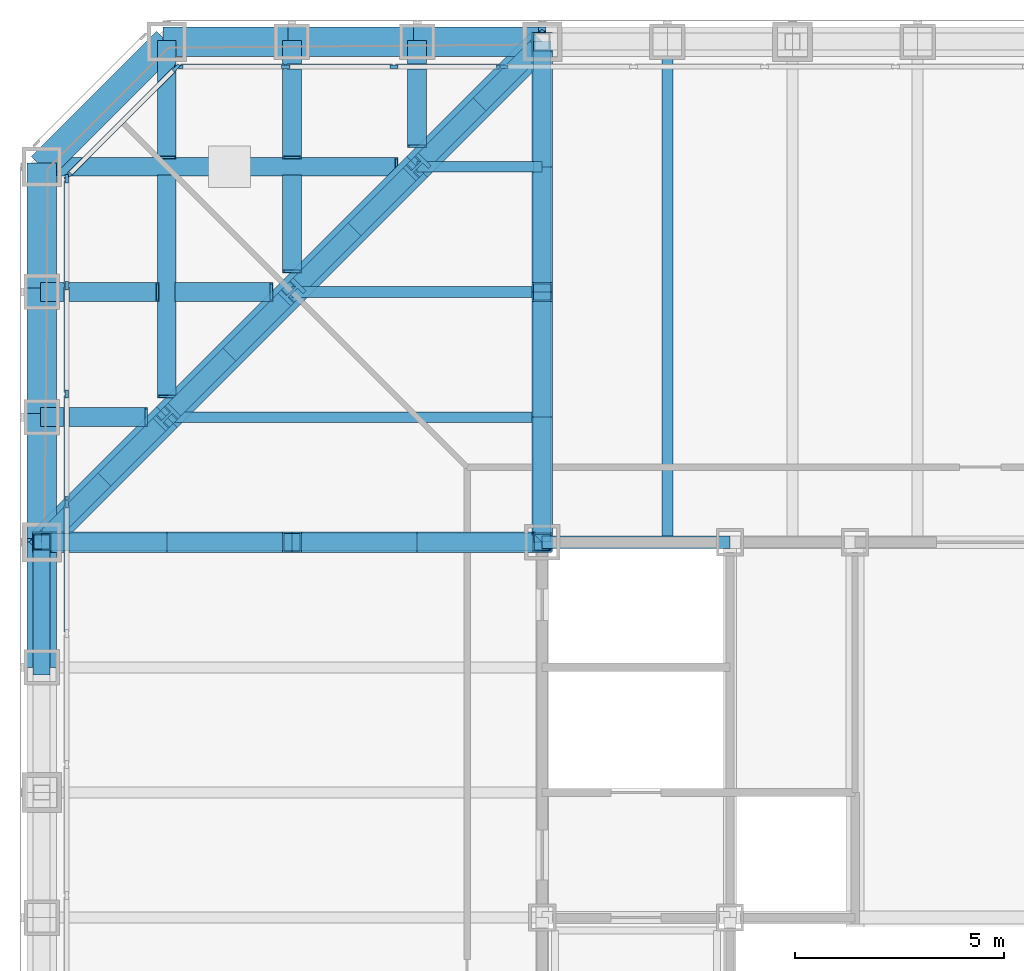
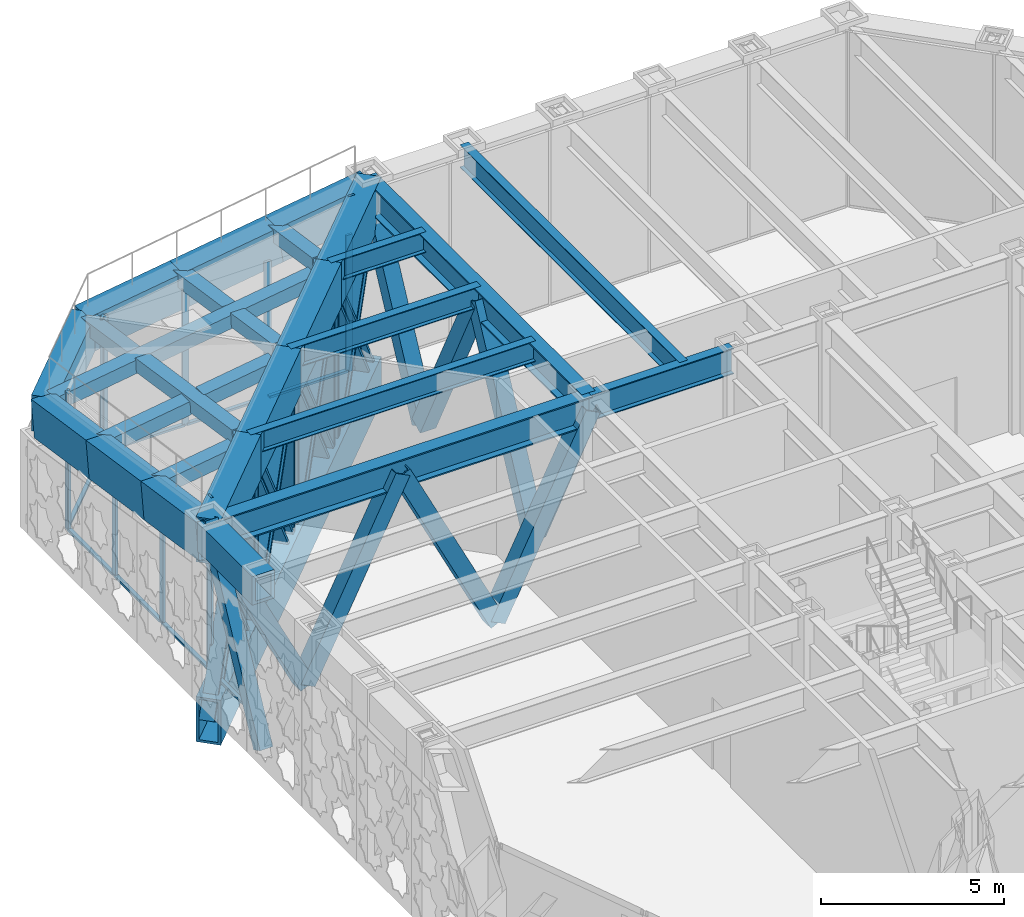
# One storey, part 8 of 28: 45 members, 24 beams, 5 elements without a shape of their own.
"""IFC4 building model written with IfcOpenShell, lengths in metres."""

from ifc_helpers import new_model, si_unit, direction, frame, origin, origin_2d, place, context, subcontext, project, spatial, rectangle, hollow_rectangle, i_section, extrude, material, layer, layer_set, material_profile, profile_set, type_object, element, aggregate, save


model = new_model("IFC4")

# Units and contexts
model_context = context("Model", 3, precision=1e-05, world=origin(), true_north=direction((0.0, 1.0)))
body_context = subcontext(model_context, "Body", "Model", "MODEL_VIEW")
ifc_project = project(units=[si_unit("LENGTHUNIT", "METRE"), si_unit("AREAUNIT", "SQUARE_METRE"), si_unit("VOLUMEUNIT", "CUBIC_METRE"), si_unit("PLANEANGLEUNIT", "RADIAN"), si_unit("MASSUNIT", "GRAM", prefix="KILO")], contexts=[model_context])

# Site, building, storey
site_placement = place(None, origin())
site = spatial("IfcSite", under=ifc_project, at=site_placement, CompositionType="ELEMENT")
building_placement = place(site_placement, origin())
building = spatial("IfcBuilding", under=site, at=building_placement, Name="Chuquiago Exchange Tower", CompositionType="ELEMENT")
storey_placement = place(building_placement, frame((0.0, 0.0, 174.0)))
storey = spatial("IfcBuildingStorey", under=building, at=storey_placement, Name="L38", CompositionType="ELEMENT", Elevation=174.0)

# Beams
ifc_material_1 = material(Name="Steel ASTM A992", Category="steel")
ifc_material_profile_1 = material_profile(ifc_material_1, i_section(OverallWidth=0.2919921875, OverallDepth=0.8583984375, WebThickness=0.01708984375, FlangeThickness=0.031005859375, at=origin_2d()), Name="W33X169")
ifc_profile_set_1 = profile_set([ifc_material_profile_1], Name="Steel ASTM A992")
beam_type_1 = type_object("IfcBeamType", Name="B3 W33X169", PredefinedType="BEAM", material=ifc_profile_set_1)
beam_1_placement = place(storey_placement, frame((12.0, 33.0, 5.41064453125), z_axis=(1.0, 0.0, 0.0), x_axis=(0.0, 1.0, 0.0)))
element("IfcBeam", 1, at=beam_1_placement, inside=storey, type_object=beam_type_1, Name="CB-L39-12_33-16.5_33", PredefinedType="BEAM", context=body_context, shape_type="SweptSolid", body=[
    extrude(i_section(OverallWidth=0.2919921875, OverallDepth=0.8583984375, WebThickness=0.01708984375, FlangeThickness=0.031005859375, at=origin_2d()), origin(), (0.0, 0.0, 1.0), 4.5),
])
ifc_material_2 = material(Name="Steel ASTM A992", Category="steel")
ifc_material_profile_2 = material_profile(ifc_material_2, i_section(OverallWidth=0.2666015625, OverallDepth=0.761962890625, WebThickness=0.014404296875, FlangeThickness=0.021484375, at=origin_2d()), Name="W30X116")
ifc_profile_set_2 = profile_set([ifc_material_profile_2], Name="Steel ASTM A992")
beam_type_2 = type_object("IfcBeamType", Name="B8 W30X116", PredefinedType="BEAM", material=ifc_profile_set_2)
beam_2_placement = place(storey_placement, frame((15.0, 33.0, 5.458984375), z_axis=(0.0, 1.0, 0.0), x_axis=(-1.0, 0.0, 0.0)))
element("IfcBeam", 2, at=beam_2_placement, inside=storey, type_object=beam_type_2, Name="FB-L39-infill-15_33-15_45-0", PredefinedType="BEAM", context=body_context, shape_type="SweptSolid", body=[
    extrude(i_section(OverallWidth=0.2666015625, OverallDepth=0.761962890625, WebThickness=0.014404296875, FlangeThickness=0.021484375, at=origin_2d()), origin(), (0.0, 0.0, 1.0), 12.0),
])
ifc_material_3 = material(Name="Steel ASTM A992", Category="steel")
ifc_material_profile_3 = material_profile(ifc_material_3, i_section(OverallWidth=0.256591796875, OverallDepth=0.693359375, WebThickness=0.014404296875, FlangeThickness=0.023681640625, at=origin_2d()), Name="W27X114")
ifc_profile_set_3 = profile_set([ifc_material_profile_3], Name="Steel ASTM A992")
beam_type_3 = type_object("IfcBeamType", Name="B9 W27X114", PredefinedType="BEAM", material=ifc_profile_set_3)
beam_3_placement = place(storey_placement, frame((12.0, 36.0, 5.493408203125), z_axis=(-1.0, 0.0, 0.0), x_axis=(0.0, -1.0, 0.0)))
element("IfcBeam", 3, at=beam_3_placement, inside=storey, type_object=beam_type_3, Name="FB-L39-corner-12_36-3_36-0", PredefinedType="BEAM", context=body_context, shape_type="SweptSolid", body=[
    extrude(i_section(OverallWidth=0.256591796875, OverallDepth=0.693359375, WebThickness=0.014404296875, FlangeThickness=0.023681640625, at=origin_2d()), origin(), (0.0, 0.0, 1.0), 9.0),
])
beam_4_placement = place(storey_placement, frame((12.0, 39.0, 5.493408203125), z_axis=(-1.0, 0.0, 0.0), x_axis=(0.0, -1.0, 0.0)))
element("IfcBeam", 4, at=beam_4_placement, inside=storey, type_object=beam_type_3, Name="FB-L39-corner-12_39-6_39-0", PredefinedType="BEAM", context=body_context, shape_type="SweptSolid", body=[
    extrude(i_section(OverallWidth=0.256591796875, OverallDepth=0.693359375, WebThickness=0.014404296875, FlangeThickness=0.023681640625, at=origin_2d()), origin(), (0.0, 0.0, 1.0), 6.0),
])
beam_5_placement = place(storey_placement, frame((12.0, 42.0, 5.493408203125), z_axis=(-1.0, 0.0, 0.0), x_axis=(0.0, -1.0, 0.0)))
element("IfcBeam", 5, at=beam_5_placement, inside=storey, type_object=beam_type_3, Name="FB-L39-corner-12_42-9_42-0", PredefinedType="BEAM", context=body_context, shape_type="SweptSolid", body=[
    extrude(i_section(OverallWidth=0.256591796875, OverallDepth=0.693359375, WebThickness=0.014404296875, FlangeThickness=0.023681640625, at=origin_2d()), origin(), (0.0, 0.0, 1.0), 3.0),
])

# Member
ifc_material_4 = material(Name="Steel ASTM A500 Grade C", Category="steel")
ifc_material_profile_4 = material_profile(ifc_material_4, hollow_rectangle(XDim=0.406494140625, YDim=0.406494140625, WallThickness=0.0146484375, at=origin_2d()), Name="HSS16X16X5/8")
ifc_profile_set_4 = profile_set([ifc_material_profile_4], Name="Steel ASTM A500 Grade C")
member_type_1 = type_object("IfcMemberType", Name="BT1 HSS16X16X5/8", PredefinedType="BRACE", material=ifc_profile_set_4)
member_1_placement = place(storey_placement, frame((0.0, 30.0, 0.0), z_axis=(0.0, 0.456929540486, 0.889502892087), x_axis=(-1.0, 0.0, 0.0)))
element("IfcMember", 6, at=member_1_placement, inside=storey, type_object=member_type_1, Name="Belt truss L38 diagonal", PredefinedType="BRACE", context=body_context, shape_type="SweptSolid", body=[
    extrude(hollow_rectangle(XDim=0.406494140625, YDim=0.406494140625, WallThickness=0.0146484375, at=origin_2d()), origin(), (0.0, 0.0, 1.0), 6.565673828125),
])

# Curtain wall, member
ifc_material_5 = material(Name="Aluminium curtain wall system", Category="aluminium")
ifc_layer = layer(ifc_material_5, 0.199951171875)
ifc_layer_set = layer_set([ifc_layer], Name="CW6 plant floor louvre wall")
curtain_wall_type = type_object("IfcCurtainWallType", Name="CW6 plant floor louvre wall", PredefinedType="NOTDEFINED", material=ifc_layer_set)
curtain_wall_1_placement = place(storey_placement, origin())
curtain_wall_1 = element("IfcCurtainWall", 7, at=curtain_wall_1_placement, inside=storey, type_object=curtain_wall_type, Name="CW6 curtain wall L38", PredefinedType="NOTDEFINED")
ifc_material_6 = material(Name="Aluminium mullion, pale anodised", Category="aluminium")
ifc_material_profile_5 = material_profile(ifc_material_6, rectangle(XDim=0.074951171875, YDim=0.199951171875, at=origin_2d()), Name="AL 75x200")
ifc_profile_set_5 = profile_set([ifc_material_profile_5], Name="Aluminium mullion, pale anodised")
member_type_2 = type_object("IfcMemberType", Name="CW6-M mullion 75x200", PredefinedType="MULLION", material=ifc_profile_set_5)
member_2_placement = place(storey_placement, frame((11.083984375, 44.39990234375, 0.0), z_axis=(0.0, 0.0, 1.0), x_axis=(0.0, -1.0, 0.0)))
member_2 = element("IfcMember", 8, at=member_2_placement, type_object=member_type_2, Name="CW6 mullion 6", PredefinedType="MULLION", context=body_context, shape_type="SweptSolid", body=[
    extrude(rectangle(XDim=0.074951171875, YDim=0.199951171875, at=origin_2d()), origin(), (0.0, 0.0, 1.0), 5.840087890625),
])
aggregate(curtain_wall_1, [member_2])

# Curtain wall, members
curtain_wall_2_placement = place(storey_placement, origin())
curtain_wall_2 = element("IfcCurtainWall", 9, at=curtain_wall_2_placement, inside=storey, type_object=curtain_wall_type, Name="CW6 curtain wall L38", PredefinedType="NOTDEFINED")
member_3_placement = place(storey_placement, frame((11.009033203125, 44.39990234375, 0.0), z_axis=(0.0, 0.0, 1.0), x_axis=(0.0, -1.0, 0.0)))
member_3 = element("IfcMember", 10, at=member_3_placement, type_object=member_type_2, Name="CW6 mullion 1", PredefinedType="MULLION", context=body_context, shape_type="SweptSolid", body=[
    extrude(rectangle(XDim=0.074951171875, YDim=0.199951171875, at=origin_2d()), origin(), (0.0, 0.0, 1.0), 4.5703125),
])
member_4_placement = place(storey_placement, frame((8.447265625, 44.39990234375, 0.0), z_axis=(0.0, 0.0, 1.0), x_axis=(0.0, -1.0, 0.0)))
member_4 = element("IfcMember", 11, at=member_4_placement, type_object=member_type_2, Name="CW6 mullion 2", PredefinedType="MULLION", context=body_context, shape_type="SweptSolid", body=[
    extrude(rectangle(XDim=0.074951171875, YDim=0.199951171875, at=origin_2d()), origin(), (0.0, 0.0, 1.0), 4.5703125),
])
member_5_placement = place(storey_placement, frame((5.847900390625, 44.39990234375, 0.0), z_axis=(0.0, 0.0, 1.0), x_axis=(0.0, -1.0, 0.0)))
member_5 = element("IfcMember", 12, at=member_5_placement, type_object=member_type_2, Name="CW6 mullion 3", PredefinedType="MULLION", context=body_context, shape_type="SweptSolid", body=[
    extrude(rectangle(XDim=0.074951171875, YDim=0.199951171875, at=origin_2d()), origin(), (0.0, 0.0, 1.0), 4.5703125),
])
member_6_placement = place(storey_placement, frame((3.2861328125, 44.39990234375, 0.0), z_axis=(0.0, 0.0, 1.0), x_axis=(0.0, -1.0, 0.0)))
member_6 = element("IfcMember", 13, at=member_6_placement, type_object=member_type_2, Name="CW6 mullion 4", PredefinedType="MULLION", context=body_context, shape_type="SweptSolid", body=[
    extrude(rectangle(XDim=0.074951171875, YDim=0.199951171875, at=origin_2d()), origin(), (0.0, 0.0, 1.0), 4.5703125),
])

curtain_wall_3_placement = place(storey_placement, origin())
curtain_wall_3 = element("IfcCurtainWall", 14, at=curtain_wall_3_placement, inside=storey, type_object=curtain_wall_type, Name="CW6 curtain wall L38", PredefinedType="NOTDEFINED")
member_7_placement = place(storey_placement, frame((3.221923828125, 44.37353515625, 0.0), z_axis=(0.0, 0.0, 1.0), x_axis=(0.707106781187, -0.707106781187, 0.0)))
member_7 = element("IfcMember", 15, at=member_7_placement, type_object=member_type_2, Name="CW6 mullion 1", PredefinedType="MULLION", context=body_context, shape_type="SweptSolid", body=[
    extrude(rectangle(XDim=0.074951171875, YDim=0.199951171875, at=origin_2d()), origin(), (0.0, 0.0, 1.0), 4.5703125),
])
member_8_placement = place(storey_placement, frame((0.62646484375, 41.778076171875, 0.0), z_axis=(0.0, 0.0, 1.0), x_axis=(0.707106781187, -0.707106781187, 0.0)))
member_8 = element("IfcMember", 16, at=member_8_placement, type_object=member_type_2, Name="CW6 mullion 2", PredefinedType="MULLION", context=body_context, shape_type="SweptSolid", body=[
    extrude(rectangle(XDim=0.074951171875, YDim=0.199951171875, at=origin_2d()), origin(), (0.0, 0.0, 1.0), 4.5703125),
])

curtain_wall_4_placement = place(storey_placement, origin())
curtain_wall_4 = element("IfcCurtainWall", 17, at=curtain_wall_4_placement, inside=storey, type_object=curtain_wall_type, Name="CW6 curtain wall L38", PredefinedType="NOTDEFINED")
member_9_placement = place(storey_placement, frame((0.60009765625, 41.714111328125, 0.0), z_axis=(0.0, 0.0, 1.0), x_axis=(1.0, 0.0, 0.0)))
member_9 = element("IfcMember", 18, at=member_9_placement, type_object=member_type_2, Name="CW6 mullion 1", PredefinedType="MULLION", context=body_context, shape_type="SweptSolid", body=[
    extrude(rectangle(XDim=0.074951171875, YDim=0.199951171875, at=origin_2d()), origin(), (0.0, 0.0, 1.0), 4.5703125),
])
member_10_placement = place(storey_placement, frame((0.60009765625, 39.152099609375, 0.0), z_axis=(0.0, 0.0, 1.0), x_axis=(1.0, 0.0, 0.0)))
member_10 = element("IfcMember", 19, at=member_10_placement, type_object=member_type_2, Name="CW6 mullion 2", PredefinedType="MULLION", context=body_context, shape_type="SweptSolid", body=[
    extrude(rectangle(XDim=0.074951171875, YDim=0.199951171875, at=origin_2d()), origin(), (0.0, 0.0, 1.0), 4.5703125),
])
member_11_placement = place(storey_placement, frame((0.60009765625, 36.552978515625, 0.0), z_axis=(0.0, 0.0, 1.0), x_axis=(1.0, 0.0, 0.0)))
member_11 = element("IfcMember", 20, at=member_11_placement, type_object=member_type_2, Name="CW6 mullion 3", PredefinedType="MULLION", context=body_context, shape_type="SweptSolid", body=[
    extrude(rectangle(XDim=0.074951171875, YDim=0.199951171875, at=origin_2d()), origin(), (0.0, 0.0, 1.0), 4.5703125),
])
member_12_placement = place(storey_placement, frame((0.60009765625, 33.9912109375, 0.0), z_axis=(0.0, 0.0, 1.0), x_axis=(1.0, 0.0, 0.0)))
member_12 = element("IfcMember", 21, at=member_12_placement, type_object=member_type_2, Name="CW6 mullion 4", PredefinedType="MULLION", context=body_context, shape_type="SweptSolid", body=[
    extrude(rectangle(XDim=0.074951171875, YDim=0.199951171875, at=origin_2d()), origin(), (0.0, 0.0, 1.0), 4.5703125),
])

# Curtain wall, member
curtain_wall_5_placement = place(storey_placement, origin())
curtain_wall_5 = element("IfcCurtainWall", 22, at=curtain_wall_5_placement, inside=storey, type_object=curtain_wall_type, Name="CW6 curtain wall L38", PredefinedType="NOTDEFINED")
member_13_placement = place(storey_placement, frame((0.60009765625, 33.916015625, 0.0), z_axis=(0.0, 0.0, 1.0), x_axis=(1.0, 0.0, 0.0)))
member_13 = element("IfcMember", 23, at=member_13_placement, type_object=member_type_2, Name="CW6 mullion 1", PredefinedType="MULLION", context=body_context, shape_type="SweptSolid", body=[
    extrude(rectangle(XDim=0.074951171875, YDim=0.199951171875, at=origin_2d()), origin(), (0.0, 0.0, 1.0), 5.840087890625),
])

# Member
ifc_material_7 = material(Name="Aluminium transom, pale anodised", Category="aluminium")
ifc_material_profile_6 = material_profile(ifc_material_7, rectangle(XDim=0.1201171875, YDim=0.074951171875, at=origin_2d()), Name="AL 120x75")
ifc_profile_set_6 = profile_set([ifc_material_profile_6], Name="Aluminium transom, pale anodised")
member_type_3 = type_object("IfcMemberType", Name="CW6-T transom 75x120", PredefinedType="MULLION", material=ifc_profile_set_6)
member_14_placement = place(storey_placement, frame((10.971435546875, 44.39990234375, 0.03759765625), z_axis=(-1.0, 0.0, 0.0), x_axis=(0.0, -1.0, 0.0)))
member_14 = element("IfcMember", 24, at=member_14_placement, type_object=member_type_3, Name="CW6 transom 1.1", PredefinedType="MULLION", context=body_context, shape_type="SweptSolid", body=[
    extrude(rectangle(XDim=0.1201171875, YDim=0.074951171875, at=origin_2d()), origin(), (0.0, 0.0, 1.0), 2.48681640625),
])

member_15_placement = place(storey_placement, frame((8.40966796875, 44.39990234375, 0.03759765625), z_axis=(-1.0, 0.0, 0.0), x_axis=(0.0, -1.0, 0.0)))
member_15 = element("IfcMember", 25, at=member_15_placement, type_object=member_type_3, Name="CW6 transom 2.1", PredefinedType="MULLION", context=body_context, shape_type="SweptSolid", body=[
    extrude(rectangle(XDim=0.1201171875, YDim=0.074951171875, at=origin_2d()), origin(), (0.0, 0.0, 1.0), 2.524169921875),
])

member_16_placement = place(storey_placement, frame((5.810302734375, 44.39990234375, 0.03759765625), z_axis=(-1.0, 0.0, 0.0), x_axis=(0.0, -1.0, 0.0)))
member_16 = element("IfcMember", 26, at=member_16_placement, type_object=member_type_3, Name="CW6 transom 3.1", PredefinedType="MULLION", context=body_context, shape_type="SweptSolid", body=[
    extrude(rectangle(XDim=0.1201171875, YDim=0.074951171875, at=origin_2d()), origin(), (0.0, 0.0, 1.0), 2.48681640625),
])

aggregate(curtain_wall_2, [member_3, member_4, member_5, member_6, member_14, member_15, member_16])

member_17_placement = place(storey_placement, frame((3.195556640625, 44.346923828125, 0.03759765625), z_axis=(-0.707106781187, -0.707106781187, 0.0), x_axis=(0.707106781187, -0.707106781187, 0.0)))
member_17 = element("IfcMember", 27, at=member_17_placement, type_object=member_type_3, Name="CW6 transom 1.1", PredefinedType="MULLION", context=body_context, shape_type="SweptSolid", body=[
    extrude(rectangle(XDim=0.1201171875, YDim=0.074951171875, at=origin_2d()), origin(), (0.0, 0.0, 1.0), 3.595703125),
])

aggregate(curtain_wall_3, [member_7, member_8, member_17])

member_18_placement = place(storey_placement, frame((0.60009765625, 41.676513671875, 0.03759765625), z_axis=(0.0, -1.0, 0.0), x_axis=(1.0, 0.0, 0.0)))
member_18 = element("IfcMember", 28, at=member_18_placement, type_object=member_type_3, Name="CW6 transom 1.1", PredefinedType="MULLION", context=body_context, shape_type="SweptSolid", body=[
    extrude(rectangle(XDim=0.1201171875, YDim=0.074951171875, at=origin_2d()), origin(), (0.0, 0.0, 1.0), 2.48681640625),
])

member_19_placement = place(storey_placement, frame((0.60009765625, 39.11474609375, 0.03759765625), z_axis=(0.0, -1.0, 0.0), x_axis=(1.0, 0.0, 0.0)))
member_19 = element("IfcMember", 29, at=member_19_placement, type_object=member_type_3, Name="CW6 transom 2.1", PredefinedType="MULLION", context=body_context, shape_type="SweptSolid", body=[
    extrude(rectangle(XDim=0.1201171875, YDim=0.074951171875, at=origin_2d()), origin(), (0.0, 0.0, 1.0), 2.5244140625),
])

member_20_placement = place(storey_placement, frame((0.60009765625, 36.515380859375, 0.03759765625), z_axis=(0.0, -1.0, 0.0), x_axis=(1.0, 0.0, 0.0)))
member_20 = element("IfcMember", 30, at=member_20_placement, type_object=member_type_3, Name="CW6 transom 3.1", PredefinedType="MULLION", context=body_context, shape_type="SweptSolid", body=[
    extrude(rectangle(XDim=0.1201171875, YDim=0.074951171875, at=origin_2d()), origin(), (0.0, 0.0, 1.0), 2.48681640625),
])

aggregate(curtain_wall_4, [member_9, member_10, member_11, member_12, member_18, member_19, member_20])

member_21_placement = place(storey_placement, frame((0.60009765625, 33.878662109375, 0.03759765625), z_axis=(0.0, -1.0, 0.0), x_axis=(1.0, 0.0, 0.0)))
member_21 = element("IfcMember", 31, at=member_21_placement, type_object=member_type_3, Name="CW6 transom 1.1", PredefinedType="MULLION", context=body_context, shape_type="SweptSolid", body=[
    extrude(rectangle(XDim=0.1201171875, YDim=0.074951171875, at=origin_2d()), origin(), (0.0, 0.0, 1.0), 3.028564453125),
])

aggregate(curtain_wall_5, [member_13, member_21])

# Beams
ifc_material_8 = material(Name="Steel ASTM A572 Grade 50", Category="steel")
ifc_material_profile_7 = material_profile(ifc_material_8, hollow_rectangle(XDim=0.699951171875, YDim=1.199951171875, WallThickness=0.090087890625, at=origin_2d()), Name="BOX1200X700X90")
ifc_profile_set_7 = profile_set([ifc_material_profile_7], Name="Steel ASTM A572 Grade 50")
beam_type_4 = type_object("IfcBeamType", Name="EB2 BOX1200X700X90", PredefinedType="BEAM", material=ifc_profile_set_7)
for number, where, z_axis, x_axis, name in (
    (32, (12.0, 45.0, 5.199951171875), (-0.98889144561, 0.0, -0.148639526371), (0.0, -1.0, 0.0), "Facet roof edge beam L38"),
    (33, (9.0, 45.0, 4.7490234375), (-0.98889144561, 0.0, -0.148639526371), (0.0, -1.0, 0.0), "Facet roof edge beam L38"),
    (34, (6.0, 45.0, 4.298095703125), (-0.988903271683, 0.0, -0.148560826784), (0.0, -1.0, 0.0), "Facet roof edge beam L38"),
):
    element("IfcBeam", number, at=place(storey_placement, frame(where, z_axis=z_axis, x_axis=x_axis)), inside=storey, type_object=beam_type_4, Name=name, PredefinedType="BEAM", context=body_context, shape_type="SweptSolid", body=[
        extrude(hollow_rectangle(XDim=0.699951171875, YDim=1.199951171875, WallThickness=0.090087890625, at=origin_2d()), origin(), (0.0, 0.0, 1.0), 3.03369140625),
    ])
beam_6_placement = place(storey_placement, frame((3.0, 45.0, 3.847412109375), z_axis=(-0.707106781187, -0.707106781187, 0.0), x_axis=(0.707106781187, -0.707106781187, 0.0)))
element("IfcBeam", 35, at=beam_6_placement, inside=storey, type_object=beam_type_4, Name="Facet roof edge beam L38", PredefinedType="BEAM", context=body_context, shape_type="SweptSolid", body=[
    extrude(hollow_rectangle(XDim=0.699951171875, YDim=1.199951171875, WallThickness=0.090087890625, at=origin_2d()), origin(), (0.0, 0.0, 1.0), 4.24267578125),
])
for number, where, z_axis, x_axis, name in (
    (36, (0.0, 42.0, 3.847412109375), (0.0, -0.988903271683, 0.148560826784), (1.0, 0.0, 0.0), "Facet roof edge beam L38"),
    (37, (0.0, 39.0, 4.298095703125), (0.0, -0.98889144561, 0.148639526371), (1.0, 0.0, 0.0), "Facet roof edge beam L38"),
    (38, (0.0, 36.0, 4.7490234375), (0.0, -0.98889144561, 0.148639526371), (1.0, 0.0, 0.0), "Facet roof edge beam L38"),
):
    element("IfcBeam", number, at=place(storey_placement, frame(where, z_axis=z_axis, x_axis=x_axis)), inside=storey, type_object=beam_type_4, Name=name, PredefinedType="BEAM", context=body_context, shape_type="SweptSolid", body=[
        extrude(hollow_rectangle(XDim=0.699951171875, YDim=1.199951171875, WallThickness=0.090087890625, at=origin_2d()), origin(), (0.0, 0.0, 1.0), 3.03369140625),
    ])
ifc_material_9 = material(Name="Steel ASTM A572 Grade 50", Category="steel")
ifc_material_profile_8 = material_profile(ifc_material_9, hollow_rectangle(XDim=0.449951171875, YDim=0.449951171875, WallThickness=0.034912109375, at=origin_2d()), Name="BOX450X450X35")
ifc_profile_set_8 = profile_set([ifc_material_profile_8], Name="Steel ASTM A572 Grade 50")
beam_type_5 = type_object("IfcBeamType", Name="FR1 BOX450X450X35", PredefinedType="BEAM", material=ifc_profile_set_8)
beam_7_placement = place(storey_placement, frame((9.0, 42.492919921875, 5.464599609375), z_axis=(0.0, 0.988898884676, -0.148590026201), x_axis=(-1.0, 0.0, 0.0)))
element("IfcBeam", 39, at=beam_7_placement, inside=storey, type_object=beam_type_5, Name="Facet roof rafter L38", PredefinedType="BEAM", context=body_context, shape_type="SweptSolid", body=[
    extrude(hollow_rectangle(XDim=0.449951171875, YDim=0.449951171875, WallThickness=0.034912109375, at=origin_2d()), origin(), (0.0, 0.0, 1.0), 2.53515625),
])
beam_8_placement = place(storey_placement, frame((8.507080078125, 42.0, 5.464599609375), z_axis=(-0.988893638187, 0.0, -0.148624938533), x_axis=(0.0, -1.0, 0.0)))
element("IfcBeam", 40, at=beam_8_placement, inside=storey, type_object=beam_type_5, Name="Facet roof rafter L38", PredefinedType="BEAM", context=body_context, shape_type="SweptSolid", body=[
    extrude(hollow_rectangle(XDim=0.449951171875, YDim=0.449951171875, WallThickness=0.034912109375, at=origin_2d()), origin(), (0.0, 0.0, 1.0), 8.6025390625),
])
beam_9_placement = place(storey_placement, frame((6.0, 39.492919921875, 5.464599609375), z_axis=(0.0, 0.988890520477, -0.148645681103), x_axis=(-1.0, 0.0, 0.0)))
element("IfcBeam", 41, at=beam_9_placement, inside=storey, type_object=beam_type_5, Name="Facet roof rafter L38", PredefinedType="BEAM", context=body_context, shape_type="SweptSolid", body=[
    extrude(hollow_rectangle(XDim=0.449951171875, YDim=0.449951171875, WallThickness=0.034912109375, at=origin_2d()), origin(), (0.0, 0.0, 1.0), 2.3076171875),
])
beam_10_placement = place(storey_placement, frame((6.0, 42.22509765625, 5.053955078125), z_axis=(0.0, 0.988896750706, -0.148604227539), x_axis=(-1.0, 0.0, 0.0)))
element("IfcBeam", 42, at=beam_10_placement, inside=storey, type_object=beam_type_5, Name="Facet roof rafter L38", PredefinedType="BEAM", context=body_context, shape_type="SweptSolid", body=[
    extrude(hollow_rectangle(XDim=0.449951171875, YDim=0.449951171875, WallThickness=0.034912109375, at=origin_2d()), origin(), (0.0, 0.0, 1.0), 2.80615234375),
])
beam_11_placement = place(storey_placement, frame((5.507080078125, 39.0, 5.464599609375), z_axis=(-0.988890520477, 0.0, -0.148645681103), x_axis=(0.0, -1.0, 0.0)))
element("IfcBeam", 43, at=beam_11_placement, inside=storey, type_object=beam_type_5, Name="Facet roof rafter L38", PredefinedType="BEAM", context=body_context, shape_type="SweptSolid", body=[
    extrude(hollow_rectangle(XDim=0.449951171875, YDim=0.449951171875, WallThickness=0.034912109375, at=origin_2d()), origin(), (0.0, 0.0, 1.0), 2.3076171875),
])
beam_12_placement = place(storey_placement, frame((2.77490234375, 39.0, 5.053955078125), z_axis=(-0.988896750706, 0.0, -0.148604227539), x_axis=(0.0, -1.0, 0.0)))
element("IfcBeam", 44, at=beam_12_placement, inside=storey, type_object=beam_type_5, Name="Facet roof rafter L38", PredefinedType="BEAM", context=body_context, shape_type="SweptSolid", body=[
    extrude(hollow_rectangle(XDim=0.449951171875, YDim=0.449951171875, WallThickness=0.034912109375, at=origin_2d()), origin(), (0.0, 0.0, 1.0), 2.80615234375),
])
beam_13_placement = place(storey_placement, frame((3.0, 36.492919921875, 5.464599609375), z_axis=(0.0, 0.988891045928, -0.148642185411), x_axis=(-1.0, 0.0, 0.0)))
element("IfcBeam", 45, at=beam_13_placement, inside=storey, type_object=beam_type_5, Name="Facet roof rafter L38", PredefinedType="BEAM", context=body_context, shape_type="SweptSolid", body=[
    extrude(hollow_rectangle(XDim=0.449951171875, YDim=0.449951171875, WallThickness=0.034912109375, at=origin_2d()), origin(), (0.0, 0.0, 1.0), 5.34130859375),
])
beam_14_placement = place(storey_placement, frame((3.0, 42.22509765625, 4.60302734375), z_axis=(0.0, 0.988896750706, -0.148604227539), x_axis=(-1.0, 0.0, 0.0)))
element("IfcBeam", 46, at=beam_14_placement, inside=storey, type_object=beam_type_5, Name="Facet roof rafter L38", PredefinedType="BEAM", context=body_context, shape_type="SweptSolid", body=[
    extrude(hollow_rectangle(XDim=0.449951171875, YDim=0.449951171875, WallThickness=0.034912109375, at=origin_2d()), origin(), (0.0, 0.0, 1.0), 2.80615234375),
])
beam_15_placement = place(storey_placement, frame((2.507080078125, 36.0, 5.464599609375), z_axis=(-0.988898884676, 0.0, -0.148590026201), x_axis=(0.0, -1.0, 0.0)))
element("IfcBeam", 47, at=beam_15_placement, inside=storey, type_object=beam_type_5, Name="Facet roof rafter L38", PredefinedType="BEAM", context=body_context, shape_type="SweptSolid", body=[
    extrude(hollow_rectangle(XDim=0.449951171875, YDim=0.449951171875, WallThickness=0.034912109375, at=origin_2d()), origin(), (0.0, 0.0, 1.0), 2.53515625),
])
ifc_material_10 = material(Name="Steel ASTM A992", Category="steel")
ifc_material_profile_9 = material_profile(ifc_material_10, i_section(OverallWidth=0.424072265625, OverallDepth=0.947509765625, WebThickness=0.02392578125, FlangeThickness=0.042724609375, at=origin_2d()), Name="W36X302")
ifc_profile_set_9 = profile_set([ifc_material_profile_9], Name="Steel ASTM A992")
beam_type_6 = type_object("IfcBeamType", Name="G4 W36X302", PredefinedType="BEAM", material=ifc_profile_set_9)
for number, where, z_axis, x_axis, name in (
    (48, (12.0, 33.0, 5.3662109375), (0.0, 1.0, 0.0), (-1.0, 0.0, 0.0), "FB-L39-girder-12_33-12_45-0"),
    (49, (12.0, 33.0, 5.3662109375), (-1.0, 0.0, 0.0), (0.0, -1.0, 0.0), "FB-L39-girder-12_33--0_33-0"),
):
    element("IfcBeam", number, at=place(storey_placement, frame(where, z_axis=z_axis, x_axis=x_axis)), inside=storey, type_object=beam_type_6, Name=name, PredefinedType="BEAM", context=body_context, shape_type="SweptSolid", body=[
        extrude(i_section(OverallWidth=0.424072265625, OverallDepth=0.947509765625, WebThickness=0.02392578125, FlangeThickness=0.042724609375, at=origin_2d()), origin(), (0.0, 0.0, 1.0), 12.0),
    ])

# Members
ifc_material_11 = material(Name="Steel ASTM A572 Grade 50", Category="steel")
ifc_material_profile_10 = material_profile(ifc_material_11, hollow_rectangle(XDim=0.5, YDim=0.5, WallThickness=0.0400390625, at=origin_2d()), Name="BOX500X500X40")
ifc_profile_set_10 = profile_set([ifc_material_profile_10], Name="Steel ASTM A572 Grade 50")
member_type_4 = type_object("IfcMemberType", Name="OT1 BOX500X500X40", PredefinedType="BRACE", material=ifc_profile_set_10)
for number, where, z_axis, x_axis, name in (
    (50, (12.0, 33.0, 5.3662109375), (0.0, 0.4472135955, -0.894427191), (-1.0, 0.0, 0.0), "Outrigger diagonal L38"),
    (51, (12.0, 36.0, -0.6337890625), (0.0, 0.4472135955, 0.894427191), (-1.0, 0.0, 0.0), "Outrigger diagonal L38"),
    (52, (12.0, 39.0, 5.3662109375), (0.0, 0.4472135955, -0.894427191), (-1.0, 0.0, 0.0), "Outrigger diagonal L38"),
    (53, (12.0, 42.0, -0.6337890625), (0.0, 0.4472135955, 0.894427191), (-1.0, 0.0, 0.0), "Outrigger diagonal L38"),
    (54, (12.0, 33.0, 5.3662109375), (-0.4472135955, 0.0, -0.894427191), (0.0, -1.0, 0.0), "Outrigger diagonal L38"),
    (55, (9.0, 33.0, -0.6337890625), (-0.4472135955, 0.0, 0.894427191), (0.0, -1.0, 0.0), "Outrigger diagonal L38"),
    (56, (6.0, 33.0, 5.3662109375), (-0.4472135955, 0.0, -0.894427191), (0.0, -1.0, 0.0), "Outrigger diagonal L38"),
    (57, (3.0, 33.0, -0.6337890625), (-0.4472135955, 0.0, 0.894427191), (0.0, -1.0, 0.0), "Outrigger diagonal L38"),
):
    element("IfcMember", number, at=place(storey_placement, frame(where, z_axis=z_axis, x_axis=x_axis)), inside=storey, type_object=member_type_4, Name=name, PredefinedType="BRACE", context=body_context, shape_type="SweptSolid", body=[
        extrude(hollow_rectangle(XDim=0.5, YDim=0.5, WallThickness=0.0400390625, at=origin_2d()), origin(), (0.0, 0.0, 1.0), 6.708251953125),
    ])

# Beam
ifc_material_12 = material(Name="Steel ASTM A572 Grade 50", Category="steel")
ifc_material_profile_11 = material_profile(ifc_material_12, hollow_rectangle(XDim=0.699951171875, YDim=0.949951171875, WallThickness=0.10009765625, at=origin_2d()), Name="BOX950X700X100")
ifc_profile_set_11 = profile_set([ifc_material_profile_11], Name="Steel ASTM A572 Grade 50")
beam_type_7 = type_object("IfcBeamType", Name="SP5 BOX950X700X100", PredefinedType="SPANDREL", material=ifc_profile_set_11)
beam_16_placement = place(storey_placement, frame((0.0, 33.0, 5.364990234375), z_axis=(0.0, -1.0, 0.0), x_axis=(1.0, 0.0, 0.0)))
element("IfcBeam", 58, at=beam_16_placement, inside=storey, type_object=beam_type_7, Name="SPB-L39-0_33-0_30", PredefinedType="SPANDREL", context=body_context, shape_type="SweptSolid", body=[
    extrude(hollow_rectangle(XDim=0.699951171875, YDim=0.949951171875, WallThickness=0.10009765625, at=origin_2d()), origin(), (0.0, 0.0, 1.0), 3.0),
])

# Members
ifc_material_13 = material(Name="Steel ASTM A572 Grade 50", Category="steel")
ifc_material_profile_12 = material_profile(ifc_material_13, hollow_rectangle(XDim=0.699951171875, YDim=1.5, WallThickness=0.080078125, at=origin_2d()), Name="BOX1500X700X80")
ifc_profile_set_12 = profile_set([ifc_material_profile_12], Name="Steel ASTM A572 Grade 50")
member_type_5 = type_object("IfcMemberType", Name="TT1 BOX1500X700X80", PredefinedType="CHORD", material=ifc_profile_set_12)
for number, where, z_axis, x_axis, name in (
    (59, (12.0, 45.0, 5.090087890625), (-0.707106781187, -0.707106781187, 0.0), (0.707106781187, -0.707106781187, 0.0), "Transfer truss L38 NW top chord"),
    (60, (9.0, 42.0, 5.090087890625), (-0.707106781187, -0.707106781187, 0.0), (0.707106781187, -0.707106781187, 0.0), "Transfer truss L38 NW top chord"),
    (61, (6.0, 39.0, 5.090087890625), (-0.707106781187, -0.707106781187, 0.0), (0.707106781187, -0.707106781187, 0.0), "Transfer truss L38 NW top chord"),
    (62, (3.0, 36.0, 5.090087890625), (-0.707106781187, -0.707106781187, 0.0), (0.707106781187, -0.707106781187, 0.0), "Transfer truss L38 NW top chord"),
):
    element("IfcMember", number, at=place(storey_placement, frame(where, z_axis=z_axis, x_axis=x_axis)), inside=storey, type_object=member_type_5, Name=name, PredefinedType="CHORD", context=body_context, shape_type="SweptSolid", body=[
        extrude(hollow_rectangle(XDim=0.699951171875, YDim=1.5, WallThickness=0.080078125, at=origin_2d()), origin(), (0.0, 0.0, 1.0), 4.24267578125),
    ])
member_22_placement = place(storey_placement, frame((12.0, 45.0, -0.909912109375), z_axis=(-0.707106781187, -0.707106781187, 0.0), x_axis=(0.707106781187, -0.707106781187, 0.0)))
element("IfcMember", 63, at=member_22_placement, inside=storey, type_object=member_type_5, Name="Transfer truss L38 NW bottom chord", PredefinedType="CHORD", context=body_context, shape_type="SweptSolid", body=[
    extrude(hollow_rectangle(XDim=0.699951171875, YDim=1.5, WallThickness=0.080078125, at=origin_2d()), origin(), (0.0, 0.0, 1.0), 16.970458984375),
])
ifc_material_14 = material(Name="Steel ASTM A992", Category="steel")
ifc_material_profile_13 = material_profile(ifc_material_14, i_section(OverallWidth=0.436767578125, OverallDepth=0.51318359375, WebThickness=0.060546875, FlangeThickness=0.096923828125, at=origin_2d()), Name="W14X550")
ifc_profile_set_13 = profile_set([ifc_material_profile_13], Name="Steel ASTM A992")
member_type_6 = type_object("IfcMemberType", Name="TT2 W14X550", PredefinedType="STRUT", material=ifc_profile_set_13)
for number, where, z_axis, x_axis, name in (
    (64, (9.0, 42.0, -0.909912109375), (0.0, 0.0, 1.0), (-0.707106781187, 0.707106781187, 0.0), "Transfer truss L38 NW post"),
    (65, (6.0, 39.0, -0.909912109375), (0.0, 0.0, 1.0), (-0.707106781187, 0.707106781187, 0.0), "Transfer truss L38 NW post"),
    (66, (3.0, 36.0, -0.909912109375), (0.0, 0.0, 1.0), (-0.707106781187, 0.707106781187, 0.0), "Transfer truss L38 NW post"),
):
    element("IfcMember", number, at=place(storey_placement, frame(where, z_axis=z_axis, x_axis=x_axis)), inside=storey, type_object=member_type_6, Name=name, PredefinedType="STRUT", context=body_context, shape_type="SweptSolid", body=[
        extrude(i_section(OverallWidth=0.436767578125, OverallDepth=0.51318359375, WebThickness=0.060546875, FlangeThickness=0.096923828125, at=origin_2d()), origin(), (0.0, 0.0, 1.0), 6.0),
    ])
ifc_material_15 = material(Name="Steel ASTM A992", Category="steel")
ifc_material_profile_14 = material_profile(ifc_material_15, i_section(OverallWidth=0.431884765625, OverallDepth=0.497802734375, WebThickness=0.0556640625, FlangeThickness=0.0888671875, at=origin_2d()), Name="W14X500")
ifc_profile_set_14 = profile_set([ifc_material_profile_14], Name="Steel ASTM A992")
member_type_7 = type_object("IfcMemberType", Name="TT3 W14X500", PredefinedType="BRACE", material=ifc_profile_set_14)
for number, where, z_axis, x_axis, name in (
    (67, (12.0, 45.0, -0.909912109375), (-0.408248290464, -0.408248290464, 0.816496580928), (0.707106781187, -0.707106781187, 0.0), "Transfer truss L38 NW diagonal"),
    (68, (9.0, 42.0, -0.909912109375), (0.408248290464, 0.408248290464, 0.816496580928), (-0.707106781187, 0.707106781187, 0.0), "Transfer truss L38 NW counter-diagonal"),
    (69, (6.0, 39.0, -0.909912109375), (0.408248290464, 0.408248290464, 0.816496580928), (-0.707106781187, 0.707106781187, 0.0), "Transfer truss L38 NW diagonal"),
    (70, (9.0, 42.0, -0.909912109375), (-0.408248290464, -0.408248290464, 0.816496580928), (0.707106781187, -0.707106781187, 0.0), "Transfer truss L38 NW counter-diagonal"),
    (71, (6.0, 39.0, -0.909912109375), (-0.408248290464, -0.408248290464, 0.816496580928), (0.707106781187, -0.707106781187, 0.0), "Transfer truss L38 NW diagonal"),
    (72, (3.0, 36.0, -0.909912109375), (0.408248290464, 0.408248290464, 0.816496580928), (-0.707106781187, 0.707106781187, 0.0), "Transfer truss L38 NW counter-diagonal"),
    (73, (0.0, 33.0, -0.909912109375), (0.408248290464, 0.408248290464, 0.816496580928), (-0.707106781187, 0.707106781187, 0.0), "Transfer truss L38 NW diagonal"),
    (74, (3.0, 36.0, -0.909912109375), (-0.408248290464, -0.408248290464, 0.816496580928), (0.707106781187, -0.707106781187, 0.0), "Transfer truss L38 NW counter-diagonal"),
):
    element("IfcMember", number, at=place(storey_placement, frame(where, z_axis=z_axis, x_axis=x_axis)), inside=storey, type_object=member_type_7, Name=name, PredefinedType="BRACE", context=body_context, shape_type="SweptSolid", body=[
        extrude(i_section(OverallWidth=0.431884765625, OverallDepth=0.497802734375, WebThickness=0.0556640625, FlangeThickness=0.0888671875, at=origin_2d()), origin(), (0.0, 0.0, 1.0), 7.348388671875),
    ])

save(model, "model.ifc")
